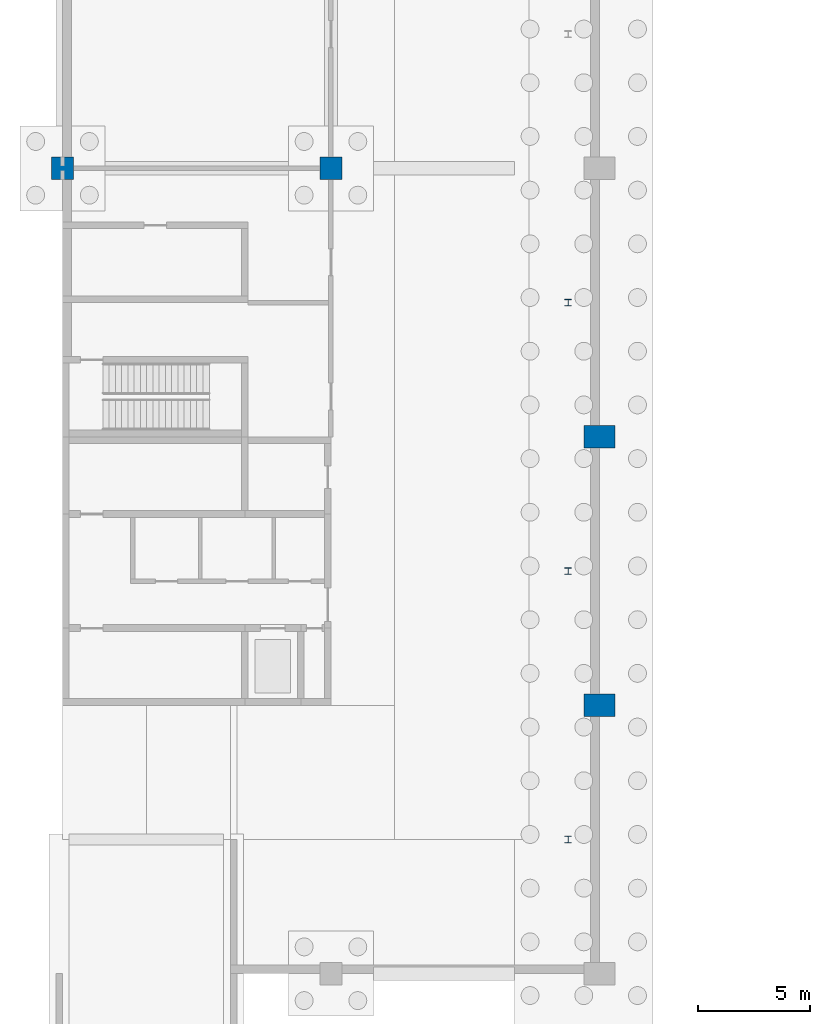
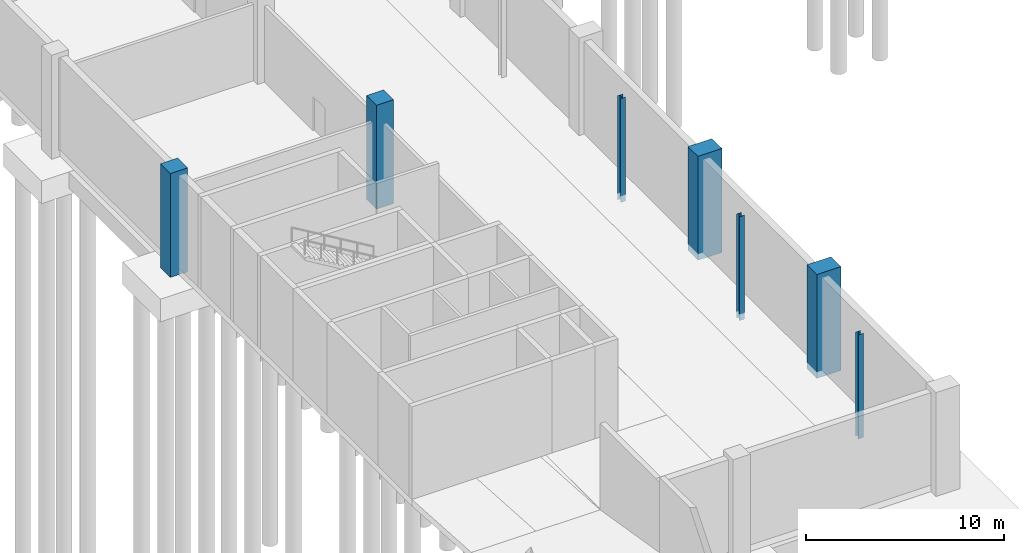
# One storey, part 5 of 34: 7 columns.
"""IFC4 building model written with IfcOpenShell, lengths in metres."""

import ifcopenshell
import ifcopenshell.guid

model = None  # the IFC model being written
_history = None  # IfcOwnerHistory: only IFC2X3 demands one
_inside = {}  # id of a spatial element -> (the spatial element, [elements in it])
_under = {}  # id of a project, library or spatial element -> (it, [spatial elements below it])
_declared = {}  # id of a project -> (the project, [libraries it declares])
_typed = {}  # id of a type object -> (the type object, [elements of that type])
_made_of = {}  # id of a material, layer set ... -> (it, [elements and type objects made of it])


def new_model(schema):
    """Start an empty IFC model of exactly this schema.

    Asked for "IFC4X3", IfcOpenShell would pick the latest addendum, in which some entities
    have other attributes; the version numbers below select the first issue.
    IFC2X3 requires an IfcOwnerHistory on every rooted entity: one is made here for all.
    """
    global model, _history
    if schema == "IFC4X3":
        model = ifcopenshell.file(schema_version=(4, 3, 0, 0))
    else:
        model = ifcopenshell.file(schema=schema)
    _inside.clear()
    _under.clear()
    _declared.clear()
    _typed.clear()
    _made_of.clear()
    _history = None
    if model.schema == "IFC2X3":
        org = make("IfcOrganization", Name="unknown")
        user = make(
            "IfcPersonAndOrganization",
            ThePerson=make("IfcPerson", FamilyName="unknown"),
            TheOrganization=org,
        )
        app = make(
            "IfcApplication",
            ApplicationDeveloper=org,
            Version="unknown",
            ApplicationFullName="unknown",
            ApplicationIdentifier="unknown",
        )
        _history = make(
            "IfcOwnerHistory",
            OwningUser=user,
            OwningApplication=app,
            ChangeAction="ADDED",
            CreationDate=0,
        )
    return model


def make(cls, **values):
    """One entity of the class cls with the attributes given. An attribute that is None is left unset."""
    return model.create_entity(
        cls, **{name: value for name, value in values.items() if value is not None}
    )


def rooted(cls, **values):
    """An entity with a GlobalId (a new one), such as an element, a storey or a relation."""
    return make(cls, GlobalId=ifcopenshell.guid.new(), OwnerHistory=_history, **values)


def si_unit(unit_type, name, prefix=None):
    """IfcSIUnit, for example si_unit("LENGTHUNIT", "METRE", prefix="MILLI")."""
    return make("IfcSIUnit", UnitType=unit_type, Prefix=prefix, Name=name)


def assignment(units):
    """IfcUnitAssignment: the units of a project."""
    return None if units is None else make("IfcUnitAssignment", Units=units)


def point(xyz):
    """IfcCartesianPoint."""
    return None if xyz is None else make("IfcCartesianPoint", Coordinates=xyz)


def direction(xyz):
    """IfcDirection."""
    return None if xyz is None else make("IfcDirection", DirectionRatios=xyz)


def frame(location, z_axis=None, x_axis=None):
    """IfcAxis2Placement3D, a coordinate frame: its origin and axes. An axis left out is left unset."""
    return make(
        "IfcAxis2Placement3D",
        Location=point(location),
        Axis=direction(z_axis),
        RefDirection=direction(x_axis),
    )


def frame_2d(location, x_axis=None):
    """IfcAxis2Placement2D, a coordinate frame in the plane: its origin and x axis."""
    return make(
        "IfcAxis2Placement2D", Location=point(location), RefDirection=direction(x_axis)
    )


def origin():
    """The frame at (0, 0, 0) with its axes left unset."""
    return frame((0.0, 0.0, 0.0))


def origin_2d():
    """The frame at (0, 0) in the plane with its x axis left unset."""
    return frame_2d((0.0, 0.0))


def place(relative_to, where):
    """IfcLocalPlacement: puts the frame where relative to a parent placement (None: the world)."""
    return make(
        "IfcLocalPlacement", PlacementRelTo=relative_to, RelativePlacement=where
    )


def context(
    kind, dimensions, precision=None, world=None, true_north=None, identifier=None
):
    """IfcGeometricRepresentationContext, for example the 3D "Model" context."""
    return make(
        "IfcGeometricRepresentationContext",
        ContextIdentifier=identifier,
        ContextType=kind,
        CoordinateSpaceDimension=dimensions,
        Precision=precision,
        WorldCoordinateSystem=world,
        TrueNorth=true_north,
    )


def subcontext(parent, identifier, kind, view, scale=None):
    """IfcGeometricRepresentationSubContext, for example "Body" below "Model"."""
    return make(
        "IfcGeometricRepresentationSubContext",
        ContextIdentifier=identifier,
        ContextType=kind,
        ParentContext=parent,
        TargetScale=scale,
        TargetView=view,
    )


def project(units=None, contexts=None):
    """IfcProject with its units and contexts."""
    return rooted(
        "IfcProject",
        Name="project",
        RepresentationContexts=contexts,
        UnitsInContext=assignment(units),
    )


def spatial(cls, under=None, at=None, **own):
    """A site, building, storey or space (cls), placed at a placement, below another one or the project."""
    s = rooted(cls, ObjectPlacement=at, **own)
    if under is not None:
        _under.setdefault(under.id(), (under, []))[1].append(s)
    return s


def profile(cls, at=None, kind="AREA", **sizes):
    """A parametric profile (cls). Its sizes go by their IFC names, for example OverallWidth=200.0."""
    return make(cls, ProfileType=kind, Position=at, **sizes)


def rectangle(**sizes):
    """IfcRectangleProfileDef."""
    return profile("IfcRectangleProfileDef", **sizes)


def i_section(**sizes):
    """IfcIShapeProfileDef."""
    return profile("IfcIShapeProfileDef", **sizes)


def extrude(swept, where, along, depth):
    """IfcExtrudedAreaSolid: the profile swept, set in the frame where, extruded along a direction by depth."""
    return make(
        "IfcExtrudedAreaSolid",
        SweptArea=swept,
        Position=where,
        ExtrudedDirection=direction(along),
        Depth=depth,
    )


def shape(context_of_items, identifier, shape_type, items):
    """IfcShapeRepresentation: the items that make up one representation, for example the "Body"."""
    return make(
        "IfcShapeRepresentation",
        ContextOfItems=context_of_items,
        RepresentationIdentifier=identifier,
        RepresentationType=shape_type,
        Items=items,
    )


def material(Name=None, Category=None):
    """IfcMaterial."""
    return make("IfcMaterial", Name=Name, Category=Category)


def material_profile(
    of_material, cross_section, Name=None, Category=None, Priority=None
):
    """IfcMaterialProfile: a cross section and its material."""
    return make(
        "IfcMaterialProfile",
        Name=Name,
        Material=of_material,
        Profile=cross_section,
        Priority=Priority,
        Category=Category,
    )


def profile_set(profiles, Name=None, composite=None):
    """IfcMaterialProfileSet."""
    return make(
        "IfcMaterialProfileSet",
        Name=Name,
        MaterialProfiles=profiles,
        CompositeProfile=composite,
    )


def made_of(thing, what):
    """Note that an element or type object is made of a material, layer set ...; save() writes the relation."""
    if what is not None:
        _made_of.setdefault(what.id(), (what, []))[1].append(thing)
    return thing


def type_object(cls, material=None, **own):
    """A type object (cls), such as IfcWallType, which elements share."""
    return made_of(rooted(cls, **own), material)


def element(
    cls,
    number,
    at=None,
    inside=None,
    cuts=None,
    type_object=None,
    material=None,
    context=None,
    identifier="Body",
    shape_type=None,
    held_by="IfcProductDefinitionShape",
    body=None,
    shapes=None,
    **own,
):
    """One element of the class cls, such as IfcWall. Its Tag is "e" and its number.

    at: its placement. inside: the storey or other place that contains it. cuts: it is an
    opening in that element (IfcRelVoidsElement). A single representation is given by context,
    identifier, shape_type and body (its items); several are given by shapes. held_by: the class
    of the entity that holds the representations. save() writes the other relations.
    """
    e = rooted(cls, Tag="e%d" % number, ObjectPlacement=at, **own)
    if body is not None:
        shapes = [shape(context, identifier, shape_type, body)]
    if shapes is not None:
        e.Representation = make(held_by, Representations=shapes)
    if inside is not None:
        _inside.setdefault(inside.id(), (inside, []))[1].append(e)
    if cuts is not None:
        rooted(
            "IfcRelVoidsElement", RelatingBuildingElement=cuts, RelatedOpeningElement=e
        )
    if type_object is not None:
        _typed.setdefault(type_object.id(), (type_object, []))[1].append(e)
    return made_of(e, material)


def aggregate(whole, parts):
    """IfcRelAggregates: a whole, such as a stair, and the parts it consists of."""
    return rooted("IfcRelAggregates", RelatingObject=whole, RelatedObjects=parts)


def save(model, path):
    """Write the relations noted so far, then the file.

    IfcRelAggregates (storeys below a building ...), IfcRelContainedInSpatialStructure (elements
    in a storey), IfcRelDefinesByType, IfcRelAssociatesMaterial and IfcRelDeclares: one each for
    every whole, place, type object, material and project.
    """
    for whole, parts in _under.values():
        aggregate(whole, parts)
    for where, things in _inside.values():
        rooted(
            "IfcRelContainedInSpatialStructure",
            RelatedElements=things,
            RelatingStructure=where,
        )
    for kind, things in _typed.values():
        rooted("IfcRelDefinesByType", RelatedObjects=things, RelatingType=kind)
    for what, things in _made_of.values():
        rooted("IfcRelAssociatesMaterial", RelatedObjects=things, RelatingMaterial=what)
    for by, libraries in _declared.values():
        rooted("IfcRelDeclares", RelatingContext=by, RelatedDefinitions=libraries)
    model.write(path)


model = new_model("IFC4")

# Units and contexts
model_context = context("Model", 3, precision=1e-05, world=origin(), true_north=direction((0.0, 1.0)))
body_context = subcontext(model_context, "Body", "Model", "MODEL_VIEW")
ifc_project = project(units=[si_unit("LENGTHUNIT", "METRE"), si_unit("AREAUNIT", "SQUARE_METRE"), si_unit("VOLUMEUNIT", "CUBIC_METRE"), si_unit("PLANEANGLEUNIT", "RADIAN"), si_unit("MASSUNIT", "GRAM", prefix="KILO")], contexts=[model_context])

# Site, building, storey
site_placement = place(None, origin())
site = spatial("IfcSite", under=ifc_project, at=site_placement, CompositionType="ELEMENT")
building_placement = place(site_placement, origin())
building = spatial("IfcBuilding", under=site, at=building_placement, Name="Lilac Gate Convention Centre", CompositionType="ELEMENT")
storey_placement = place(building_placement, frame((0.0, 0.0, -6.0)))
storey = spatial("IfcBuildingStorey", under=building, at=storey_placement, Name="B1", CompositionType="ELEMENT", Elevation=-6.0)

# Columns
ifc_material_1 = material(Name="Concrete C40", Category="concrete")
ifc_material_profile_1 = material_profile(ifc_material_1, rectangle(XDim=1.0, YDim=1.0, at=origin_2d()), Name="RC 1000x1000")
ifc_profile_set_1 = profile_set([ifc_material_profile_1], Name="Concrete C40")
column_type_1 = type_object("IfcColumnType", Name="RC column 1000x1000 C40", PredefinedType="COLUMN", material=ifc_profile_set_1)
for number, where, z_axis, x_axis, name in (
    (1, (6.0, 66.0, -0.39990234375), (0.0, 0.0, 1.0), (1.0, 0.0, 0.0), "C1 B1 at 1/D"),
    (2, (18.0, 66.0, -0.39990234375), (0.0, 0.0, 1.0), (1.0, 0.0, 0.0), "C1 B1 at 2/D"),
):
    element("IfcColumn", number, at=place(storey_placement, frame(where, z_axis=z_axis, x_axis=x_axis)), inside=storey, type_object=column_type_1, Name=name, PredefinedType="COLUMN", context=body_context, shape_type="SweptSolid", body=[
        extrude(rectangle(XDim=1.0, YDim=1.0, at=origin_2d()), origin(), (0.0, 0.0, 1.0), 6.39990234375),
    ])
ifc_material_profile_2 = material_profile(ifc_material_1, rectangle(XDim=1.39990234375, YDim=1.0, at=origin_2d()), Name="RC 1400x1000")
ifc_profile_set_2 = profile_set([ifc_material_profile_2], Name="Concrete C40")
column_type_2 = type_object("IfcColumnType", Name="RC hall column 1400x1000 C40", PredefinedType="COLUMN", material=ifc_profile_set_2)
for number, where, z_axis, x_axis, name in (
    (3, (30.0, 42.0, -0.39990234375), (0.0, 0.0, 1.0), (1.0, 0.0, 0.0), "C2 B1 at 3/B"),
    (4, (30.0, 54.0, -0.39990234375), (0.0, 0.0, 1.0), (1.0, 0.0, 0.0), "C2 B1 at 3/C"),
):
    element("IfcColumn", number, at=place(storey_placement, frame(where, z_axis=z_axis, x_axis=x_axis)), inside=storey, type_object=column_type_2, Name=name, PredefinedType="COLUMN", context=body_context, shape_type="SweptSolid", body=[
        extrude(rectangle(XDim=1.39990234375, YDim=1.0, at=origin_2d()), origin(), (0.0, 0.0, 1.0), 6.39990234375),
    ])
ifc_material_2 = material(Name="Steel Q355B", Category="steel")
ifc_material_profile_3 = material_profile(ifc_material_2, i_section(OverallWidth=0.300048828125, OverallDepth=0.300048828125, WebThickness=0.010009765625, FlangeThickness=0.014892578125, FilletRadius=0.012939453125, at=origin_2d()), Name="HW300x300x10x15")
ifc_profile_set_3 = profile_set([ifc_material_profile_3], Name="Steel Q355B")
column_type_3 = type_object("IfcColumnType", Name="Steel column HW300x300x10x15", PredefinedType="COLUMN", material=ifc_profile_set_3)
for number, where, z_axis, x_axis, name in (
    (5, (28.60009765625, 36.0, -0.39990234375), (0.0, 0.0, 1.0), (1.0, 0.0, 0.0), "SC1 B1 atrium column at 36"),
    (6, (28.60009765625, 48.0, -0.39990234375), (0.0, 0.0, 1.0), (1.0, 0.0, 0.0), "SC1 B1 atrium column at 48"),
    (7, (28.60009765625, 60.0, -0.39990234375), (0.0, 0.0, 1.0), (1.0, 0.0, 0.0), "SC1 B1 atrium column at 60"),
):
    element("IfcColumn", number, at=place(storey_placement, frame(where, z_axis=z_axis, x_axis=x_axis)), inside=storey, type_object=column_type_3, Name=name, PredefinedType="COLUMN", context=body_context, shape_type="SweptSolid", body=[
        extrude(i_section(OverallWidth=0.300048828125, OverallDepth=0.300048828125, WebThickness=0.010009765625, FlangeThickness=0.014892578125, FilletRadius=0.012939453125, at=origin_2d()), origin(), (0.0, 0.0, 1.0), 6.39990234375),
    ])

save(model, "model.ifc")
